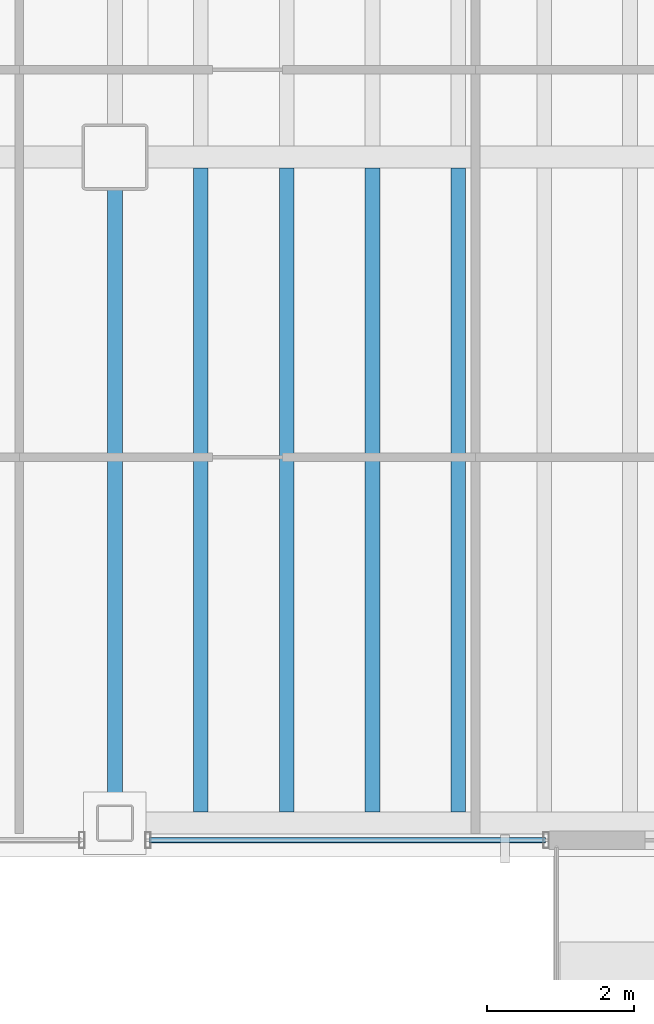
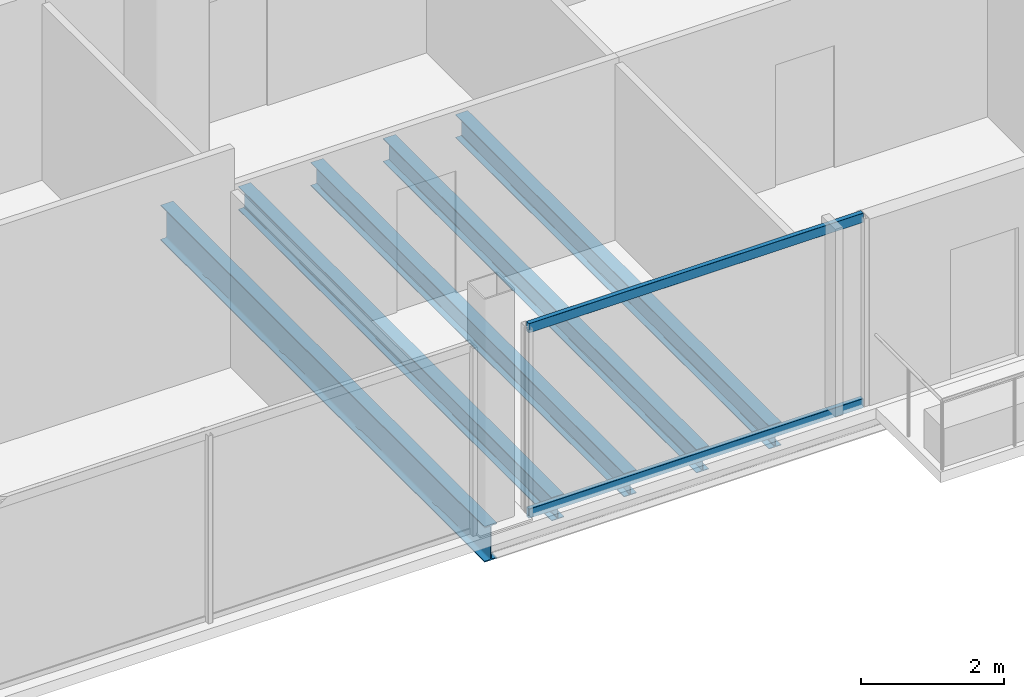
# One storey, part 3 of 22: 5 beams, 2 members, 1 element without a shape of its own.
"""IFC4 building model written with IfcOpenShell, lengths in metres."""

from ifc_helpers import new_model, si_unit, direction, frame, origin, origin_2d, place, context, subcontext, project, spatial, hollow_rectangle, i_section, extrude, material, material_profile, profile_set, type_object, element, aggregate, save


model = new_model("IFC4")

# Units and contexts
model_context = context("Model", 3, precision=1e-05, world=origin(), true_north=direction((0.0, 1.0)))
body_context = subcontext(model_context, "Body", "Model", "MODEL_VIEW")
ifc_project = project(units=[si_unit("LENGTHUNIT", "METRE"), si_unit("AREAUNIT", "SQUARE_METRE"), si_unit("VOLUMEUNIT", "CUBIC_METRE"), si_unit("PLANEANGLEUNIT", "RADIAN"), si_unit("MASSUNIT", "GRAM", prefix="KILO")], contexts=[model_context])

# Site, building, storey
site_placement = place(None, origin())
site = spatial("IfcSite", under=ifc_project, at=site_placement, CompositionType="ELEMENT")
building_placement = place(site_placement, origin())
building = spatial("IfcBuilding", under=site, at=building_placement, Name="Noeulbin Bourse Tower", CompositionType="ELEMENT")
storey_placement = place(building_placement, frame((0.0, 0.0, 134.39990234375)))
storey = spatial("IfcBuildingStorey", under=building, at=storey_placement, Name="L33", CompositionType="ELEMENT", Elevation=134.39990234375)

# Beams
ifc_material_1 = material(Name="Steel S355", Category="steel")
ifc_material_profile_1 = material_profile(ifc_material_1, i_section(OverallWidth=0.199951171875, OverallDepth=0.60009765625, WebThickness=0.010986328125, FlangeThickness=0.01708984375, FilletRadius=0.02197265625, at=origin_2d()), Name="H-600x200x11x17", Category="LoadBearing")
ifc_profile_set_1 = profile_set([ifc_material_profile_1], Name="Steel S355")
beam_type_1 = type_object("IfcBeamType", Name="BM-GRD-600", PredefinedType="USERDEFINED", material=ifc_profile_set_1)
beam_placement = place(storey_placement, frame((13.5, 10.949951171875, -0.47998046875), z_axis=(0.0, 1.0, 0.0), x_axis=(-1.0, 0.0, 0.0)))
element("IfcBeam", 1, at=beam_placement, inside=storey, type_object=beam_type_1, Name="Tower Primary Girder NS L33-1.1", ObjectType="GIRDER", PredefinedType="USERDEFINED", context=body_context, shape_type="SweptSolid", body=[
    extrude(i_section(OverallWidth=0.199951171875, OverallDepth=0.60009765625, WebThickness=0.010986328125, FlangeThickness=0.01708984375, FilletRadius=0.02197265625, at=origin_2d()), origin(), (0.0, 0.0, 1.0), 9.050048828125),
])
ifc_material_profile_2 = material_profile(ifc_material_1, i_section(OverallWidth=0.199951171875, OverallDepth=0.39990234375, WebThickness=0.008056640625, FlangeThickness=0.012939453125, FilletRadius=0.01611328125, at=origin_2d()), Name="H-400x200x8x13", Category="LoadBearing")
ifc_profile_set_2 = profile_set([ifc_material_profile_2], Name="Steel S355")
beam_type_2 = type_object("IfcBeamType", Name="BM-SEC-400", PredefinedType="BEAM", material=ifc_profile_set_2)
for number, where, z_axis, x_axis, name in (
    (2, (14.666748046875, 11.10009765625, -0.3798828125), (0.0, 1.0, 0.0), (-1.0, 0.0, 0.0), "Tower Composite Joist L33-01"),
    (3, (15.833251953125, 11.10009765625, -0.3798828125), (0.0, 1.0, 0.0), (-1.0, 0.0, 0.0), "Tower Composite Joist L33-03"),
    (4, (17.0, 11.10009765625, -0.3798828125), (0.0, 1.0, 0.0), (-1.0, 0.0, 0.0), "Tower Composite Joist L33-05"),
    (5, (18.166748046875, 11.10009765625, -0.3798828125), (0.0, 1.0, 0.0), (-1.0, 0.0, 0.0), "Tower Composite Joist L33-07"),
):
    element("IfcBeam", number, at=place(storey_placement, frame(where, z_axis=z_axis, x_axis=x_axis)), inside=storey, type_object=beam_type_2, Name=name, PredefinedType="BEAM", context=body_context, shape_type="SweptSolid", body=[
        extrude(i_section(OverallWidth=0.199951171875, OverallDepth=0.39990234375, WebThickness=0.008056640625, FlangeThickness=0.012939453125, FilletRadius=0.01611328125, at=origin_2d()), origin(), (0.0, 0.0, 1.0), 8.75),
    ])

# Curtain wall, members
ifc_material_2 = material(Name="Dark Tinted Triple Glazing", Category="glass")
curtain_wall_type = type_object("IfcCurtainWallType", Name="CW-SYS-3", PredefinedType="NOTDEFINED", material=ifc_material_2)
curtain_wall_placement = place(storey_placement, origin())
curtain_wall = element("IfcCurtainWall", 6, at=curtain_wall_placement, inside=storey, type_object=curtain_wall_type, Name="Unitised Curtain Wall CW-L33-S1-S2", PredefinedType="NOTDEFINED")
ifc_material_3 = material(Name="Anodised Aluminium 6063-T6", Category="aluminium")
ifc_material_profile_3 = material_profile(ifc_material_3, hollow_rectangle(XDim=0.074951171875, YDim=0.159912109375, WallThickness=0.0048828125, InnerFilletRadius=0.00244140625, OuterFilletRadius=0.0048828125, at=origin_2d()), Name="ALU-TRAN-75x160x5", Category="LoadBearing")
ifc_profile_set_3 = profile_set([ifc_material_profile_3], Name="Anodised Aluminium 6063-T6")
member_type = type_object("IfcMemberType", Name="CW-SYS-3-TRN", PredefinedType="USERDEFINED", material=ifc_profile_set_3)
member_1_placement = place(storey_placement, frame((13.9599609375, 10.719970703125, 0.010009765625), z_axis=(1.0, 0.0, 0.0), x_axis=(0.0, 1.0, 0.0)))
member_1 = element("IfcMember", 7, at=member_1_placement, type_object=member_type, Name="Curtain Wall Transom CW-L33-S1-S2-T00", ObjectType="TRANSOM", PredefinedType="USERDEFINED", context=body_context, shape_type="SweptSolid", body=[
    extrude(hollow_rectangle(XDim=0.074951171875, YDim=0.159912109375, WallThickness=0.0048828125, InnerFilletRadius=0.00244140625, OuterFilletRadius=0.0048828125, at=origin_2d()), origin(), (0.0, 0.0, 1.0), 5.39013671875),
])
member_2_placement = place(storey_placement, frame((13.9599609375, 10.719970703125, 3.170166015625), z_axis=(1.0, 0.0, 0.0), x_axis=(0.0, 1.0, 0.0)))
member_2 = element("IfcMember", 8, at=member_2_placement, type_object=member_type, Name="Curtain Wall Transom CW-L33-S1-S2-T01", ObjectType="TRANSOM", PredefinedType="USERDEFINED", context=body_context, shape_type="SweptSolid", body=[
    extrude(hollow_rectangle(XDim=0.074951171875, YDim=0.159912109375, WallThickness=0.0048828125, InnerFilletRadius=0.00244140625, OuterFilletRadius=0.0048828125, at=origin_2d()), origin(), (0.0, 0.0, 1.0), 5.39013671875),
])
aggregate(curtain_wall, [member_1, member_2])

save(model, "model.ifc")
